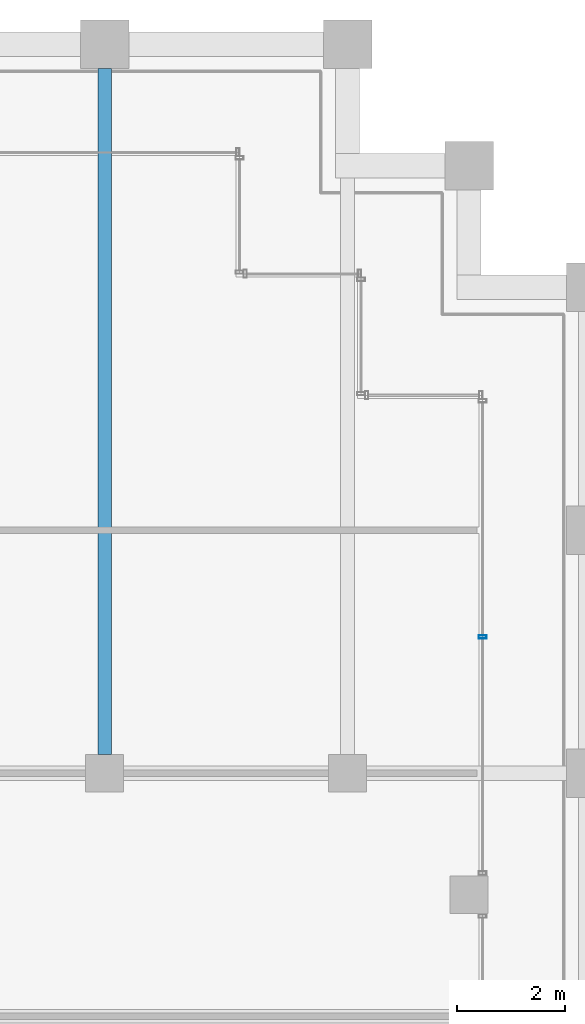
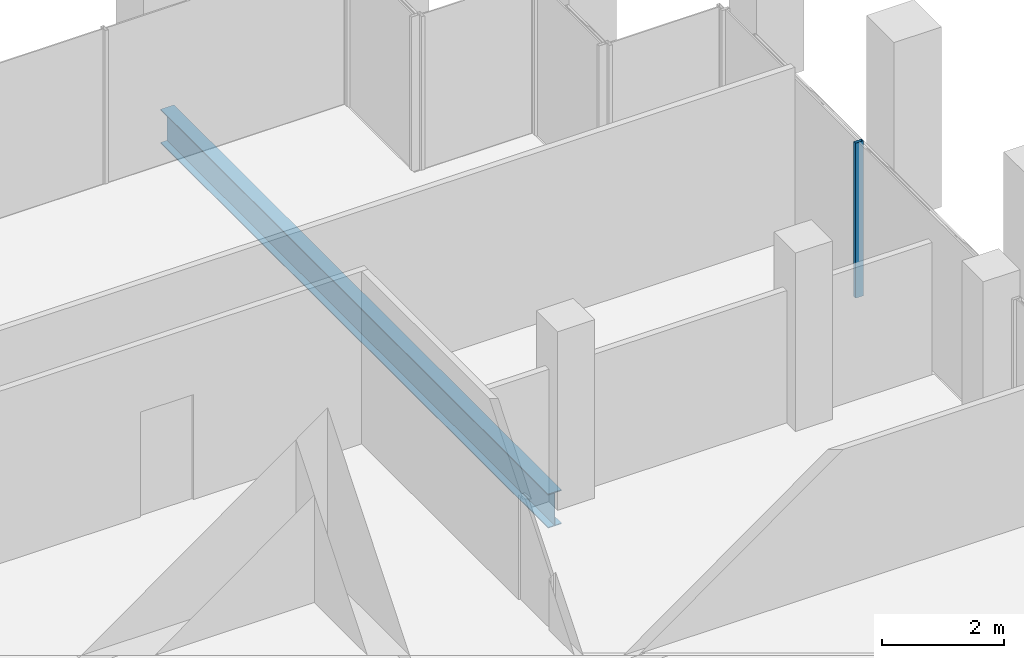
# One storey, part 24 of 40: 1 beam, 1 member, 1 element without a shape of its own.
"""IFC4 building model written with IfcOpenShell, lengths in metres."""

from ifc_helpers import new_model, si_unit, direction, frame, origin, origin_2d, place, context, subcontext, project, spatial, hollow_rectangle, i_section, extrude, material, material_profile, profile_set, type_object, element, aggregate, save


model = new_model("IFC4")

# Units and contexts
model_context = context("Model", 3, precision=1e-05, world=origin(), true_north=direction((0.0, 1.0)))
body_context = subcontext(model_context, "Body", "Model", "MODEL_VIEW")
ifc_project = project(units=[si_unit("LENGTHUNIT", "METRE"), si_unit("AREAUNIT", "SQUARE_METRE"), si_unit("VOLUMEUNIT", "CUBIC_METRE"), si_unit("PLANEANGLEUNIT", "RADIAN"), si_unit("MASSUNIT", "GRAM", prefix="KILO")], contexts=[model_context])

# Site, building, storey
site_placement = place(None, origin())
site = spatial("IfcSite", under=ifc_project, at=site_placement, CompositionType="ELEMENT")
building_placement = place(site_placement, origin())
building = spatial("IfcBuilding", under=site, at=building_placement, Name="Altepetl Exchange Towers", CompositionType="ELEMENT")
storey_placement = place(building_placement, frame((0.0, 0.0, 176.199951171875)))
storey = spatial("IfcBuildingStorey", under=building, at=storey_placement, Name="L44", CompositionType="ELEMENT", Elevation=176.199951171875)

# Beam
ifc_material_1 = material(Name="Steel S355", Category="steel")
ifc_material_profile_1 = material_profile(ifc_material_1, i_section(OverallWidth=0.25390625, OverallDepth=0.68408203125, WebThickness=0.012451171875, FlangeThickness=0.018798828125, at=origin_2d()), Name="W27X94")
ifc_profile_set_1 = profile_set([ifc_material_profile_1], Name="Steel S355")
beam_type = type_object("IfcBeamType", Name="Floor beam W27X94", PredefinedType="BEAM", material=ifc_profile_set_1)
beam_placement = place(storey_placement, frame((63.0, 58.85009765625, -0.491943359375), z_axis=(0.0, 1.0, 0.0), x_axis=(-1.0, 0.0, 0.0)))
element("IfcBeam", 1, at=beam_placement, inside=storey, type_object=beam_type, Name="bm:A:L44:004", PredefinedType="BEAM", context=body_context, shape_type="SweptSolid", body=[
    extrude(i_section(OverallWidth=0.25390625, OverallDepth=0.68408203125, WebThickness=0.012451171875, FlangeThickness=0.018798828125, at=origin_2d()), origin(), (0.0, 0.0, 1.0), 12.699951171875),
])

# Curtain wall, member
ifc_material_2 = material(Name="Aluminium 6063-T6 glazing", Category="aluminium")
curtain_wall_type = type_object("IfcCurtainWallType", Name="Loggia glazing system", PredefinedType="NOTDEFINED", material=ifc_material_2)
curtain_wall_placement = place(storey_placement, origin())
curtain_wall = element("IfcCurtainWall", 2, at=curtain_wall_placement, inside=storey, type_object=curtain_wall_type, Name="CW1 run", PredefinedType="NOTDEFINED")
ifc_material_3 = material(Name="Aluminium 6063-T6", Category="aluminium")
ifc_material_profile_2 = material_profile(ifc_material_3, hollow_rectangle(XDim=0.06005859375, YDim=0.14990234375, WallThickness=0.0029296875, at=origin_2d()), Name="Mullion 60x150 aluminium")
ifc_profile_set_2 = profile_set([ifc_material_profile_2], Name="Aluminium 6063-T6")
member_type = type_object("IfcMemberType", Name="Mullion 60x150 aluminium", PredefinedType="MULLION", material=ifc_profile_set_2)
member_placement = place(storey_placement, frame((70.0, 61.0224609375, 0.0), z_axis=(0.0, 0.0, 1.0), x_axis=(0.0, 1.0, 0.0)))
member = element("IfcMember", 3, at=member_placement, type_object=member_type, Name="MU1 mullion", PredefinedType="MULLION", context=body_context, shape_type="SweptSolid", body=[
    extrude(hollow_rectangle(XDim=0.06005859375, YDim=0.14990234375, WallThickness=0.0029296875, at=origin_2d()), origin(), (0.0, 0.0, 1.0), 3.10009765625),
])
aggregate(curtain_wall, [member])

save(model, "model.ifc")
